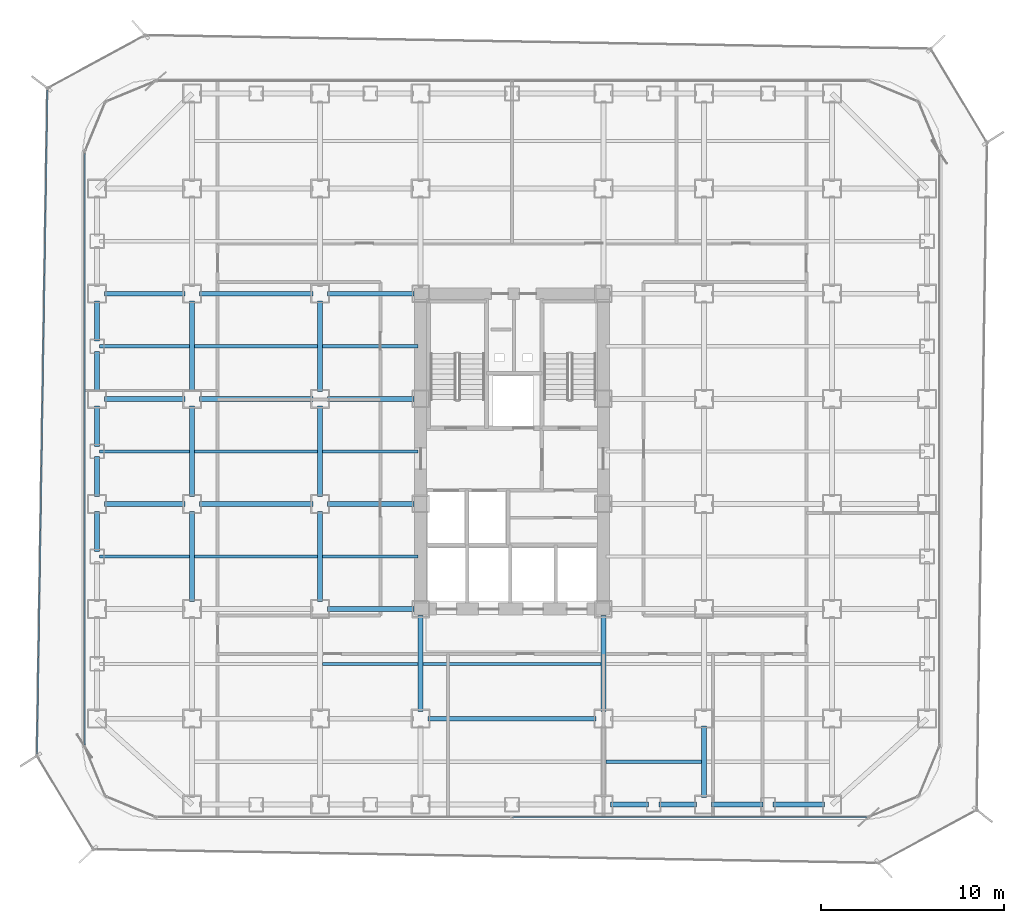
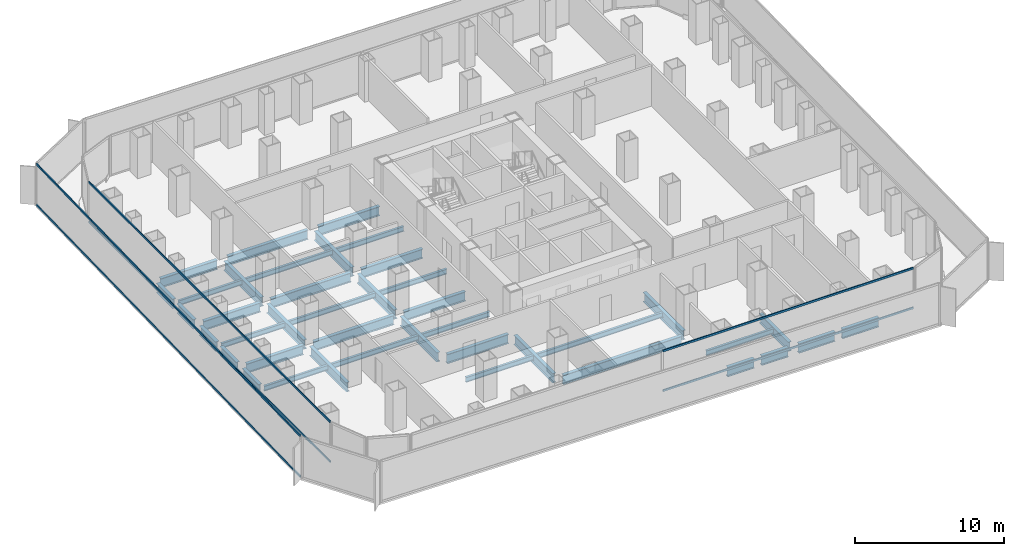
# One storey, part 5 of 21: 41 beams, 6 members, 3 elements without a shape of their own.
"""IFC4 building model written with IfcOpenShell, lengths in metres."""

from ifc_helpers import new_model, si_unit, direction, frame, origin, origin_2d, place, context, subcontext, project, spatial, hollow_rectangle, i_section, extrude, source, transform, mapped, material, layer, layer_set, material_profile, profile_set, type_object, element, aggregate, save


model = new_model("IFC4")

# Units and contexts
model_context = context("Model", 3, precision=1e-05, world=origin(), true_north=direction((0.0, 1.0)))
body_context = subcontext(model_context, "Body", "Model", "MODEL_VIEW")
ifc_project = project(units=[si_unit("LENGTHUNIT", "METRE"), si_unit("AREAUNIT", "SQUARE_METRE"), si_unit("VOLUMEUNIT", "CUBIC_METRE"), si_unit("PLANEANGLEUNIT", "RADIAN"), si_unit("MASSUNIT", "GRAM", prefix="KILO")], contexts=[model_context])

# Site, building, storey
site_placement = place(None, origin())
site = spatial("IfcSite", under=ifc_project, at=site_placement, CompositionType="ELEMENT")
building_placement = place(site_placement, origin())
building = spatial("IfcBuilding", under=site, at=building_placement, Name="Kolveth Station Tower", CompositionType="ELEMENT")
storey_placement = place(building_placement, frame((0.0, 0.0, 36.89990234375)))
storey = spatial("IfcBuildingStorey", under=building, at=storey_placement, Name="L09", CompositionType="ELEMENT", Elevation=36.89990234375)

# Beams
ifc_material_1 = material(Name="Steel S355", Category="steel")
ifc_material_profile_1 = material_profile(ifc_material_1, i_section(OverallWidth=0.26904296875, OverallDepth=0.77490234375, WebThickness=0.01708984375, FlangeThickness=0.0283203125, at=origin_2d()), Name="W760x220")
ifc_profile_set_1 = profile_set([ifc_material_profile_1], Name="Steel S355")
beam_type_1 = type_object("IfcBeamType", Name="Beam_SP1", PredefinedType="SPANDREL", material=ifc_profile_set_1)
shared_shape_1 = source(origin(), body_context, "Body", "SweptSolid", [
    extrude(i_section(OverallWidth=0.26904296875, OverallDepth=0.77490234375, WebThickness=0.01708984375, FlangeThickness=0.0283203125, at=origin_2d()), origin(), (0.0, 0.0, 1.0), 2.820068359375),
])
for number, where, z_axis, x_axis, name in (
    (1, (34.39990234375, 0.800048828125, -0.66748046875), (1.0, 0.0, 0.0), (0.0, 1.0, 0.0), "L09 Perimeter Spandrel BM-L09-PS-9"),
    (2, (37.780029296875, 0.800048828125, -0.66748046875), (1.0, 0.0, 0.0), (0.0, 1.0, 0.0), "L09 Perimeter Spandrel BM-L09-PS-10"),
):
    element("IfcBeam", number, at=place(storey_placement, frame(where, z_axis=z_axis, x_axis=x_axis)), inside=storey, type_object=beam_type_1, Name=name, PredefinedType="SPANDREL", context=body_context, shape_type="MappedRepresentation", body=[
        mapped(shared_shape_1, transform((0.0, 0.0, 0.0), x_axis=(1.0, 0.0, 0.0), y_axis=(0.0, 1.0, 0.0), z_axis=(0.0, 0.0, 1.0), scale=1.0)),
    ])
shared_shape_2 = source(origin(), body_context, "Body", "SweptSolid", [
    extrude(i_section(OverallWidth=0.26904296875, OverallDepth=0.77490234375, WebThickness=0.01708984375, FlangeThickness=0.0283203125, at=origin_2d()), origin(), (0.0, 0.0, 1.0), 2.070068359375),
])
for number, where, z_axis, x_axis, name in (
    (3, (28.89990234375, 0.800048828125, -0.66748046875), (1.0, 0.0, 0.0), (0.0, 1.0, 0.0), "L09 Perimeter Spandrel BM-L09-PS-7"),
    (4, (31.530029296875, 0.800048828125, -0.66748046875), (1.0, 0.0, 0.0), (0.0, 1.0, 0.0), "L09 Perimeter Spandrel BM-L09-PS-8"),
):
    element("IfcBeam", number, at=place(storey_placement, frame(where, z_axis=z_axis, x_axis=x_axis)), inside=storey, type_object=beam_type_1, Name=name, PredefinedType="SPANDREL", context=body_context, shape_type="MappedRepresentation", body=[
        mapped(shared_shape_2, transform((0.0, 0.0, 0.0), x_axis=(1.0, 0.0, 0.0), y_axis=(0.0, 1.0, 0.0), z_axis=(0.0, 0.0, 1.0), scale=1.0)),
    ])
shared_shape_3 = source(origin(), body_context, "Body", "SweptSolid", [
    extrude(i_section(OverallWidth=0.26904296875, OverallDepth=0.77490234375, WebThickness=0.01708984375, FlangeThickness=0.0283203125, at=origin_2d()), origin(), (0.0, 0.0, 1.0), 2.2001953125),
])
for number, where, z_axis, x_axis, name in (
    (5, (0.800048828125, 20.39990234375, -0.66748046875), (0.0, 1.0, 0.0), (-1.0, 0.0, 0.0), "L09 Perimeter Spandrel BM-L09-PW-6"),
    (6, (0.800048828125, 23.39990234375, -0.66748046875), (0.0, 1.0, 0.0), (-1.0, 0.0, 0.0), "L09 Perimeter Spandrel BM-L09-PW-7"),
):
    element("IfcBeam", number, at=place(storey_placement, frame(where, z_axis=z_axis, x_axis=x_axis)), inside=storey, type_object=beam_type_1, Name=name, PredefinedType="SPANDREL", context=body_context, shape_type="MappedRepresentation", body=[
        mapped(shared_shape_3, transform((0.0, 0.0, 0.0), x_axis=(1.0, 0.0, 0.0), y_axis=(0.0, 1.0, 0.0), z_axis=(0.0, 0.0, 1.0), scale=1.0)),
    ])
shared_shape_4 = source(origin(), body_context, "Body", "SweptSolid", [
    extrude(i_section(OverallWidth=0.26904296875, OverallDepth=0.77490234375, WebThickness=0.01708984375, FlangeThickness=0.0283203125, at=origin_2d()), origin(), (0.0, 0.0, 1.0), 2.190185546875),
])
for number, where, z_axis, x_axis, name in (
    (7, (0.800048828125, 14.659912109375, -0.66748046875), (0.0, 1.0, 0.0), (-1.0, 0.0, 0.0), "L09 Perimeter Spandrel BM-L09-PW-4"),
    (8, (0.800048828125, 17.64990234375, -0.66748046875), (0.0, 1.0, 0.0), (-1.0, 0.0, 0.0), "L09 Perimeter Spandrel BM-L09-PW-5"),
    (9, (0.800048828125, 26.159912109375, -0.66748046875), (0.0, 1.0, 0.0), (-1.0, 0.0, 0.0), "L09 Perimeter Spandrel BM-L09-PW-8"),
):
    element("IfcBeam", number, at=place(storey_placement, frame(where, z_axis=z_axis, x_axis=x_axis)), inside=storey, type_object=beam_type_1, Name=name, PredefinedType="SPANDREL", context=body_context, shape_type="MappedRepresentation", body=[
        mapped(shared_shape_4, transform((0.0, 0.0, 0.0), x_axis=(1.0, 0.0, 0.0), y_axis=(0.0, 1.0, 0.0), z_axis=(0.0, 0.0, 1.0), scale=1.0)),
    ])
ifc_material_profile_2 = material_profile(ifc_material_1, i_section(OverallWidth=0.26708984375, OverallDepth=0.76611328125, WebThickness=0.014892578125, FlangeThickness=0.023681640625, at=origin_2d()), Name="W760x185")
ifc_profile_set_2 = profile_set([ifc_material_profile_2], Name="Steel S355")
beam_type_2 = type_object("IfcBeamType", Name="Beam_B3", PredefinedType="BEAM", material=ifc_profile_set_2)
shared_shape_5 = source(origin(), body_context, "Body", "SweptSolid", [
    extrude(i_section(OverallWidth=0.26708984375, OverallDepth=0.76611328125, WebThickness=0.014892578125, FlangeThickness=0.023681640625, at=origin_2d()), origin(), (0.0, 0.0, 1.0), 4.400146484375),
])
for number, where, z_axis, x_axis, name in (
    (10, (1.199951171875, 17.25, -0.662841796875), (1.0, 0.0, 0.0), (0.0, 1.0, 0.0), "L09 Primary Girder BM-L09-GY172-1"),
    (11, (1.199951171875, 23.0, -0.662841796875), (1.0, 0.0, 0.0), (0.0, 1.0, 0.0), "L09 Primary Girder BM-L09-GY230-1"),
    (12, (1.199951171875, 28.75, -0.662841796875), (1.0, 0.0, 0.0), (0.0, 1.0, 0.0), "L09 Primary Girder BM-L09-GY287-1"),
):
    element("IfcBeam", number, at=place(storey_placement, frame(where, z_axis=z_axis, x_axis=x_axis)), inside=storey, type_object=beam_type_2, Name=name, PredefinedType="BEAM", context=body_context, shape_type="MappedRepresentation", body=[
        mapped(shared_shape_5, transform((0.0, 0.0, 0.0), x_axis=(1.0, 0.0, 0.0), y_axis=(0.0, 1.0, 0.0), z_axis=(0.0, 0.0, 1.0), scale=1.0)),
    ])
shared_shape_6 = source(origin(), body_context, "Body", "SweptSolid", [
    extrude(i_section(OverallWidth=0.26708984375, OverallDepth=0.76611328125, WebThickness=0.014892578125, FlangeThickness=0.023681640625, at=origin_2d()), origin(), (0.0, 0.0, 1.0), 6.2001953125),
])
for number, where, z_axis, x_axis, name in (
    (13, (6.39990234375, 17.25, -0.662841796875), (1.0, 0.0, 0.0), (0.0, 1.0, 0.0), "L09 Primary Girder BM-L09-GY172-2"),
    (14, (6.39990234375, 23.0, -0.662841796875), (1.0, 0.0, 0.0), (0.0, 1.0, 0.0), "L09 Primary Girder BM-L09-GY230-2"),
    (15, (6.39990234375, 28.75, -0.662841796875), (1.0, 0.0, 0.0), (0.0, 1.0, 0.0), "L09 Primary Girder BM-L09-GY287-2"),
):
    element("IfcBeam", number, at=place(storey_placement, frame(where, z_axis=z_axis, x_axis=x_axis)), inside=storey, type_object=beam_type_2, Name=name, PredefinedType="BEAM", context=body_context, shape_type="MappedRepresentation", body=[
        mapped(shared_shape_6, transform((0.0, 0.0, 0.0), x_axis=(1.0, 0.0, 0.0), y_axis=(0.0, 1.0, 0.0), z_axis=(0.0, 0.0, 1.0), scale=1.0)),
    ])
shared_shape_7 = source(origin(), body_context, "Body", "SweptSolid", [
    extrude(i_section(OverallWidth=0.26708984375, OverallDepth=0.76611328125, WebThickness=0.014892578125, FlangeThickness=0.023681640625, at=origin_2d()), origin(), (0.0, 0.0, 1.0), 9.2001953125),
])
beam_1_placement = place(storey_placement, frame((18.89990234375, 5.5, -0.662841796875), z_axis=(1.0, 0.0, 0.0), x_axis=(0.0, 1.0, 0.0)))
element("IfcBeam", 16, at=beam_1_placement, inside=storey, type_object=beam_type_2, Name="L09 Primary Girder BM-L09-GY55-4", PredefinedType="BEAM", context=body_context, shape_type="MappedRepresentation", body=[
    mapped(shared_shape_7, transform((0.0, 0.0, 0.0), x_axis=(1.0, 0.0, 0.0), y_axis=(0.0, 1.0, 0.0), z_axis=(0.0, 0.0, 1.0), scale=1.0)),
])
shared_shape_8 = source(origin(), body_context, "Body", "SweptSolid", [
    extrude(i_section(OverallWidth=0.26708984375, OverallDepth=0.76611328125, WebThickness=0.014892578125, FlangeThickness=0.023681640625, at=origin_2d()), origin(), (0.0, 0.0, 1.0), 4.739990234375),
])
for number, where, z_axis, x_axis, name in (
    (17, (13.39990234375, 11.5, -0.662841796875), (1.0, 0.0, 0.0), (0.0, 1.0, 0.0), "L09 Primary Girder BM-L09-GY115-3"),
    (18, (13.39990234375, 17.25, -0.662841796875), (1.0, 0.0, 0.0), (0.0, 1.0, 0.0), "L09 Primary Girder BM-L09-GY172-3"),
    (19, (13.39990234375, 23.0, -0.662841796875), (1.0, 0.0, 0.0), (0.0, 1.0, 0.0), "L09 Primary Girder BM-L09-GY230-3"),
    (20, (13.39990234375, 28.75, -0.662841796875), (1.0, 0.0, 0.0), (0.0, 1.0, 0.0), "L09 Primary Girder BM-L09-GY287-3"),
):
    element("IfcBeam", number, at=place(storey_placement, frame(where, z_axis=z_axis, x_axis=x_axis)), inside=storey, type_object=beam_type_2, Name=name, PredefinedType="BEAM", context=body_context, shape_type="MappedRepresentation", body=[
        mapped(shared_shape_8, transform((0.0, 0.0, 0.0), x_axis=(1.0, 0.0, 0.0), y_axis=(0.0, 1.0, 0.0), z_axis=(0.0, 0.0, 1.0), scale=1.0)),
    ])
shared_shape_9 = source(origin(), body_context, "Body", "SweptSolid", [
    extrude(i_section(OverallWidth=0.26708984375, OverallDepth=0.76611328125, WebThickness=0.014892578125, FlangeThickness=0.023681640625, at=origin_2d()), origin(), (0.0, 0.0, 1.0), 3.900146484375),
])
beam_2_placement = place(storey_placement, frame((34.0, 1.199951171875, -0.662841796875), z_axis=(0.0, 1.0, 0.0), x_axis=(-1.0, 0.0, 0.0)))
element("IfcBeam", 21, at=beam_2_placement, inside=storey, type_object=beam_type_2, Name="L09 Primary Girder BM-L09-GX340-1", PredefinedType="BEAM", context=body_context, shape_type="MappedRepresentation", body=[
    mapped(shared_shape_9, transform((0.0, 0.0, 0.0), x_axis=(1.0, 0.0, 0.0), y_axis=(0.0, 1.0, 0.0), z_axis=(0.0, 0.0, 1.0), scale=1.0)),
])
shared_shape_10 = source(origin(), body_context, "Body", "SweptSolid", [
    extrude(i_section(OverallWidth=0.26708984375, OverallDepth=0.76611328125, WebThickness=0.014892578125, FlangeThickness=0.023681640625, at=origin_2d()), origin(), (0.0, 0.0, 1.0), 4.9501953125),
])
for number, where, z_axis, x_axis, name in (
    (22, (6.0, 11.89990234375, -0.662841796875), (0.0, 1.0, 0.0), (-1.0, 0.0, 0.0), "L09 Primary Girder BM-L09-GX60-3"),
    (23, (6.0, 17.64990234375, -0.662841796875), (0.0, 1.0, 0.0), (-1.0, 0.0, 0.0), "L09 Primary Girder BM-L09-GX60-4"),
    (24, (6.0, 23.39990234375, -0.662841796875), (0.0, 1.0, 0.0), (-1.0, 0.0, 0.0), "L09 Primary Girder BM-L09-GX60-5"),
    (25, (13.0, 11.89990234375, -0.662841796875), (0.0, 1.0, 0.0), (-1.0, 0.0, 0.0), "L09 Primary Girder BM-L09-GX130-3"),
    (26, (13.0, 17.64990234375, -0.662841796875), (0.0, 1.0, 0.0), (-1.0, 0.0, 0.0), "L09 Primary Girder BM-L09-GX130-4"),
    (27, (13.0, 23.39990234375, -0.662841796875), (0.0, 1.0, 0.0), (-1.0, 0.0, 0.0), "L09 Primary Girder BM-L09-GX130-5"),
):
    element("IfcBeam", number, at=place(storey_placement, frame(where, z_axis=z_axis, x_axis=x_axis)), inside=storey, type_object=beam_type_2, Name=name, PredefinedType="BEAM", context=body_context, shape_type="MappedRepresentation", body=[
        mapped(shared_shape_10, transform((0.0, 0.0, 0.0), x_axis=(1.0, 0.0, 0.0), y_axis=(0.0, 1.0, 0.0), z_axis=(0.0, 0.0, 1.0), scale=1.0)),
    ])
shared_shape_11 = source(origin(), body_context, "Body", "SweptSolid", [
    extrude(i_section(OverallWidth=0.26708984375, OverallDepth=0.76611328125, WebThickness=0.014892578125, FlangeThickness=0.023681640625, at=origin_2d()), origin(), (0.0, 0.0, 1.0), 5.239990234375),
])
for number, where, z_axis, x_axis, name in (
    (28, (18.5, 5.89990234375, -0.662841796875), (0.0, 1.0, 0.0), (-1.0, 0.0, 0.0), "L09 Primary Girder BM-L09-GX185-2"),
    (29, (28.5, 5.89990234375, -0.662841796875), (0.0, 1.0, 0.0), (-1.0, 0.0, 0.0), "L09 Primary Girder BM-L09-GX285-2"),
):
    element("IfcBeam", number, at=place(storey_placement, frame(where, z_axis=z_axis, x_axis=x_axis)), inside=storey, type_object=beam_type_2, Name=name, PredefinedType="BEAM", context=body_context, shape_type="MappedRepresentation", body=[
        mapped(shared_shape_11, transform((0.0, 0.0, 0.0), x_axis=(1.0, 0.0, 0.0), y_axis=(0.0, 1.0, 0.0), z_axis=(0.0, 0.0, 1.0), scale=1.0)),
    ])
ifc_material_profile_3 = material_profile(ifc_material_1, i_section(OverallWidth=0.177978515625, OverallDepth=0.406982421875, WebThickness=0.0078125, FlangeThickness=0.0126953125, at=origin_2d()), Name="W410x60")
ifc_profile_set_3 = profile_set([ifc_material_profile_3], Name="Steel S355")
beam_type_3 = type_object("IfcBeamType", Name="Beam_J1", PredefinedType="JOIST", material=ifc_profile_set_3)
shared_shape_12 = source(origin(), body_context, "Body", "SweptSolid", [
    extrude(i_section(OverallWidth=0.177978515625, OverallDepth=0.406982421875, WebThickness=0.0078125, FlangeThickness=0.0126953125, at=origin_2d()), origin(), (0.0, 0.0, 1.0), 4.935791015625),
])
for number, where, z_axis, x_axis, name in (
    (30, (0.9326171875, 14.375, -0.4833984375), (1.0, 0.0, 0.0), (0.0, 1.0, 0.0), "L09 Secondary Joist JST-L09-1-3"),
    (31, (0.9326171875, 20.125, -0.4833984375), (1.0, 0.0, 0.0), (0.0, 1.0, 0.0), "L09 Secondary Joist JST-L09-1-4"),
    (32, (0.9326171875, 25.875, -0.4833984375), (1.0, 0.0, 0.0), (0.0, 1.0, 0.0), "L09 Secondary Joist JST-L09-1-5"),
):
    element("IfcBeam", number, at=place(storey_placement, frame(where, z_axis=z_axis, x_axis=x_axis)), inside=storey, type_object=beam_type_3, Name=name, PredefinedType="JOIST", context=body_context, shape_type="MappedRepresentation", body=[
        mapped(shared_shape_12, transform((0.0, 0.0, 0.0), x_axis=(1.0, 0.0, 0.0), y_axis=(0.0, 1.0, 0.0), z_axis=(0.0, 0.0, 1.0), scale=1.0)),
    ])
shared_shape_13 = source(origin(), body_context, "Body", "SweptSolid", [
    extrude(i_section(OverallWidth=0.177978515625, OverallDepth=0.406982421875, WebThickness=0.0078125, FlangeThickness=0.0126953125, at=origin_2d()), origin(), (0.0, 0.0, 1.0), 6.73681640625),
])
for number, where, z_axis, x_axis, name in (
    (33, (6.131591796875, 14.375, -0.4833984375), (1.0, 0.0, 0.0), (0.0, 1.0, 0.0), "L09 Secondary Joist JST-L09-2-3"),
    (34, (6.131591796875, 20.125, -0.4833984375), (1.0, 0.0, 0.0), (0.0, 1.0, 0.0), "L09 Secondary Joist JST-L09-2-4"),
    (35, (6.131591796875, 25.875, -0.4833984375), (1.0, 0.0, 0.0), (0.0, 1.0, 0.0), "L09 Secondary Joist JST-L09-2-5"),
):
    element("IfcBeam", number, at=place(storey_placement, frame(where, z_axis=z_axis, x_axis=x_axis)), inside=storey, type_object=beam_type_3, Name=name, PredefinedType="JOIST", context=body_context, shape_type="MappedRepresentation", body=[
        mapped(shared_shape_13, transform((0.0, 0.0, 0.0), x_axis=(1.0, 0.0, 0.0), y_axis=(0.0, 1.0, 0.0), z_axis=(0.0, 0.0, 1.0), scale=1.0)),
    ])
shared_shape_14 = source(origin(), body_context, "Body", "SweptSolid", [
    extrude(i_section(OverallWidth=0.177978515625, OverallDepth=0.406982421875, WebThickness=0.0078125, FlangeThickness=0.0126953125, at=origin_2d()), origin(), (0.0, 0.0, 1.0), 5.23681640625),
])
for number, where, z_axis, x_axis, name in (
    (36, (13.131591796875, 8.5, -0.4833984375), (1.0, 0.0, 0.0), (0.0, 1.0, 0.0), "L09 Secondary Joist JST-L09-3-2"),
    (37, (13.131591796875, 14.375, -0.4833984375), (1.0, 0.0, 0.0), (0.0, 1.0, 0.0), "L09 Secondary Joist JST-L09-3-3"),
    (38, (13.131591796875, 20.125, -0.4833984375), (1.0, 0.0, 0.0), (0.0, 1.0, 0.0), "L09 Secondary Joist JST-L09-3-4"),
    (39, (13.131591796875, 25.875, -0.4833984375), (1.0, 0.0, 0.0), (0.0, 1.0, 0.0), "L09 Secondary Joist JST-L09-3-5"),
    (40, (28.631591796875, 3.14990234375, -0.4833984375), (1.0, 0.0, 0.0), (0.0, 1.0, 0.0), "L09 Secondary Joist JST-L09-5-1"),
):
    element("IfcBeam", number, at=place(storey_placement, frame(where, z_axis=z_axis, x_axis=x_axis)), inside=storey, type_object=beam_type_3, Name=name, PredefinedType="JOIST", context=body_context, shape_type="MappedRepresentation", body=[
        mapped(shared_shape_14, transform((0.0, 0.0, 0.0), x_axis=(1.0, 0.0, 0.0), y_axis=(0.0, 1.0, 0.0), z_axis=(0.0, 0.0, 1.0), scale=1.0)),
    ])
shared_shape_15 = source(origin(), body_context, "Body", "SweptSolid", [
    extrude(i_section(OverallWidth=0.177978515625, OverallDepth=0.406982421875, WebThickness=0.0078125, FlangeThickness=0.0126953125, at=origin_2d()), origin(), (0.0, 0.0, 1.0), 9.73681640625),
])
beam_3_placement = place(storey_placement, frame((18.631591796875, 8.5, -0.4833984375), z_axis=(1.0, 0.0, 0.0), x_axis=(0.0, 1.0, 0.0)))
element("IfcBeam", 41, at=beam_3_placement, inside=storey, type_object=beam_type_3, Name="L09 Secondary Joist JST-L09-4-2", PredefinedType="JOIST", context=body_context, shape_type="MappedRepresentation", body=[
    mapped(shared_shape_15, transform((0.0, 0.0, 0.0), x_axis=(1.0, 0.0, 0.0), y_axis=(0.0, 1.0, 0.0), z_axis=(0.0, 0.0, 1.0), scale=1.0)),
])

# Curtain wall, members
ifc_material_2 = material(Name="Aluminium 6063-T6 and low-E dark glass", Category="aluminium")
ifc_layer_1 = layer(ifc_material_2, 0.179931640625)
ifc_layer_set_1 = layer_set([ifc_layer_1], Name="Aluminium 6063-T6 and low-E dark glass")
curtain_wall_type_1 = type_object("IfcCurtainWallType", Name="CurtainWall_CW-Z1", PredefinedType="NOTDEFINED", material=ifc_layer_set_1)
curtain_wall_1_placement = place(storey_placement, origin())
curtain_wall_1 = element("IfcCurtainWall", 42, at=curtain_wall_1_placement, inside=storey, type_object=curtain_wall_type_1, Name="L09 Inner Thermal Curtain Wall 9", PredefinedType="NOTDEFINED")
ifc_material_3 = material(Name="Black anodized aluminium 6063-T6", Category="aluminium")
ifc_material_profile_4 = material_profile(ifc_material_3, hollow_rectangle(XDim=0.074951171875, YDim=0.159912109375, WallThickness=0.0048828125, at=origin_2d()), Name="ALU-75x160x5")
ifc_profile_set_4 = profile_set([ifc_material_profile_4], Name="Black anodized aluminium 6063-T6")
member_type_1 = type_object("IfcMemberType", Name="Transom_TR1", PredefinedType="USERDEFINED", material=ifc_profile_set_4)
shared_shape_16 = source(origin(), body_context, "Body", "SweptSolid", [
    extrude(hollow_rectangle(XDim=0.074951171875, YDim=0.159912109375, WallThickness=0.0048828125, at=origin_2d()), origin(), (0.0, 0.0, 1.0), 32.35009765625),
])
member_1_placement = place(storey_placement, frame((0.1201171875, 36.425048828125, 0.03759765625), z_axis=(0.0, -1.0, 0.0), x_axis=(1.0, 0.0, 0.0)))
member_1 = element("IfcMember", 43, at=member_1_placement, type_object=member_type_1, Name="CW-Z1 transom 1.1", ObjectType="TRANSOM", PredefinedType="USERDEFINED", context=body_context, shape_type="MappedRepresentation", body=[
    mapped(shared_shape_16, transform((0.0, 0.0, 0.0), x_axis=(1.0, 0.0, 0.0), y_axis=(0.0, 1.0, 0.0), z_axis=(0.0, 0.0, 1.0), scale=1.0)),
])
member_2_placement = place(storey_placement, frame((0.1201171875, 36.425048828125, 3.28271484375), z_axis=(0.0, -1.0, 0.0), x_axis=(1.0, 0.0, 0.0)))
member_2 = element("IfcMember", 44, at=member_2_placement, type_object=member_type_1, Name="CW-Z1 transom 1.2", ObjectType="TRANSOM", PredefinedType="USERDEFINED", context=body_context, shape_type="MappedRepresentation", body=[
    mapped(shared_shape_16, transform((0.0, 0.0, 0.0), x_axis=(1.0, 0.0, 0.0), y_axis=(0.0, 1.0, 0.0), z_axis=(0.0, 0.0, 1.0), scale=1.0)),
])
aggregate(curtain_wall_1, [member_1, member_2])

curtain_wall_2_placement = place(storey_placement, origin())
curtain_wall_2 = element("IfcCurtainWall", 45, at=curtain_wall_2_placement, inside=storey, type_object=curtain_wall_type_1, Name="L09 Inner Thermal Curtain Wall 12", PredefinedType="NOTDEFINED")
shared_shape_17 = source(origin(), body_context, "Body", "SweptSolid", [
    extrude(hollow_rectangle(XDim=0.074951171875, YDim=0.159912109375, WallThickness=0.0048828125, at=origin_2d()), origin(), (0.0, 0.0, 1.0), 19.387451171875),
])
member_3_placement = place(storey_placement, frame((23.53759765625, 0.1201171875, 0.03759765625), z_axis=(1.0, 0.0, 0.0), x_axis=(0.0, 1.0, 0.0)))
member_3 = element("IfcMember", 46, at=member_3_placement, type_object=member_type_1, Name="CW-Z1 transom 2.1", ObjectType="TRANSOM", PredefinedType="USERDEFINED", context=body_context, shape_type="MappedRepresentation", body=[
    mapped(shared_shape_17, transform((0.0, 0.0, 0.0), x_axis=(1.0, 0.0, 0.0), y_axis=(0.0, 1.0, 0.0), z_axis=(0.0, 0.0, 1.0), scale=1.0)),
])
member_4_placement = place(storey_placement, frame((23.53759765625, 0.1201171875, 3.28271484375), z_axis=(1.0, 0.0, 0.0), x_axis=(0.0, 1.0, 0.0)))
member_4 = element("IfcMember", 47, at=member_4_placement, type_object=member_type_1, Name="CW-Z1 transom 2.2", ObjectType="TRANSOM", PredefinedType="USERDEFINED", context=body_context, shape_type="MappedRepresentation", body=[
    mapped(shared_shape_17, transform((0.0, 0.0, 0.0), x_axis=(1.0, 0.0, 0.0), y_axis=(0.0, 1.0, 0.0), z_axis=(0.0, 0.0, 1.0), scale=1.0)),
])
aggregate(curtain_wall_2, [member_3, member_4])

ifc_material_4 = material(Name="Black anodized aluminium 6063-T6 and dark solar glass", Category="aluminium")
ifc_layer_2 = layer(ifc_material_4, 0.159912109375)
ifc_layer_set_2 = layer_set([ifc_layer_2], Name="Black anodized aluminium 6063-T6 and dark solar glass")
curtain_wall_type_2 = type_object("IfcCurtainWallType", Name="OUTER SKIN CW-OS", PredefinedType="NOTDEFINED", material=ifc_layer_set_2)
curtain_wall_3_placement = place(storey_placement, origin())
curtain_wall_3 = element("IfcCurtainWall", 48, at=curtain_wall_3_placement, inside=storey, type_object=curtain_wall_type_2, Name="L09 Outer Ventilated Skin Curtain Wall 6", PredefinedType="NOTDEFINED")
ifc_material_profile_5 = material_profile(ifc_material_3, hollow_rectangle(XDim=0.080078125, YDim=0.14990234375, WallThickness=0.0048828125, at=origin_2d()), Name="ALU-80x150x5")
ifc_profile_set_5 = profile_set([ifc_material_profile_5], Name="Black anodized aluminium 6063-T6")
member_type_2 = type_object("IfcMemberType", Name="Transom_TR-OS", PredefinedType="USERDEFINED", material=ifc_profile_set_5)
shared_shape_18 = source(origin(), body_context, "Body", "SweptSolid", [
    extrude(hollow_rectangle(XDim=0.080078125, YDim=0.14990234375, WallThickness=0.0048828125, at=origin_2d()), origin(), (0.0, 0.0, 1.0), 36.332275390625),
])
member_5_placement = place(storey_placement, frame((-1.91650390625, 39.89599609375, 0.0400390625), z_axis=(-0.015697096005, -0.999876792999, 0.0), x_axis=(0.999876792999, -0.015697096005, 0.0)))
member_5 = element("IfcMember", 49, at=member_5_placement, type_object=member_type_2, Name="CW-OS transom 1.1", ObjectType="TRANSOM", PredefinedType="USERDEFINED", context=body_context, shape_type="MappedRepresentation", body=[
    mapped(shared_shape_18, transform((0.0, 0.0, 0.0), x_axis=(1.0, 0.0, 0.0), y_axis=(0.0, 1.0, 0.0), z_axis=(0.0, 0.0, 1.0), scale=1.0)),
])
member_6_placement = place(storey_placement, frame((-1.91650390625, 39.89599609375, 3.35009765625), z_axis=(-0.015697096005, -0.999876792999, 0.0), x_axis=(0.999876792999, -0.015697096005, 0.0)))
member_6 = element("IfcMember", 50, at=member_6_placement, type_object=member_type_2, Name="CW-OS transom 1.2", ObjectType="TRANSOM", PredefinedType="USERDEFINED", context=body_context, shape_type="MappedRepresentation", body=[
    mapped(shared_shape_18, transform((0.0, 0.0, 0.0), x_axis=(1.0, 0.0, 0.0), y_axis=(0.0, 1.0, 0.0), z_axis=(0.0, 0.0, 1.0), scale=1.0)),
])
aggregate(curtain_wall_3, [member_5, member_6])

save(model, "model.ifc")
